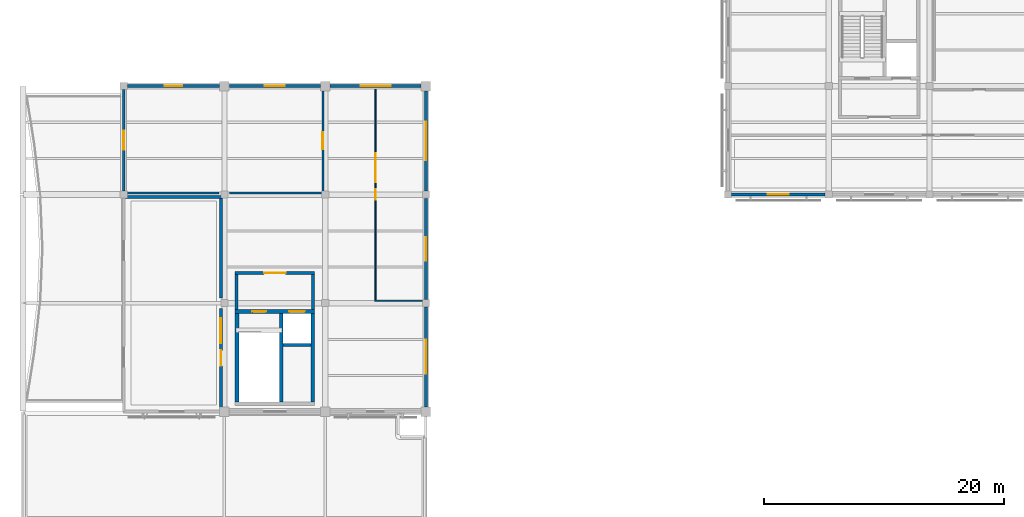
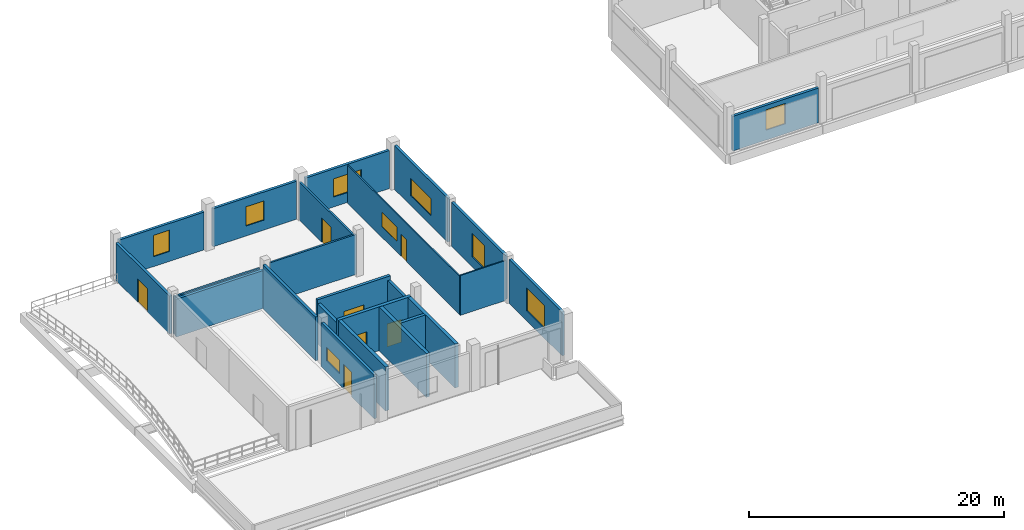
# One storey, part 17 of 34: 24 walls, 9 windows, 7 doors, 16 openings.
"""IFC4 building model written with IfcOpenShell, lengths in metres."""

from ifc_helpers import new_model, si_unit, direction, frame, frame_2d, origin, place, context, subcontext, project, spatial, rectangle, extrude, material, layer, layer_set, type_object, element, fill, save


model = new_model("IFC4")

# Units and contexts
model_context = context("Model", 3, precision=1e-05, world=origin(), true_north=direction((0.0, 1.0)))
body_context = subcontext(model_context, "Body", "Model", "MODEL_VIEW")
ifc_project = project(units=[si_unit("LENGTHUNIT", "METRE"), si_unit("AREAUNIT", "SQUARE_METRE"), si_unit("VOLUMEUNIT", "CUBIC_METRE"), si_unit("PLANEANGLEUNIT", "RADIAN"), si_unit("MASSUNIT", "GRAM", prefix="KILO")], contexts=[model_context])

# Site, building, storey
site_placement = place(None, origin())
site = spatial("IfcSite", under=ifc_project, at=site_placement, CompositionType="ELEMENT")
building_placement = place(site_placement, origin())
building = spatial("IfcBuilding", under=site, at=building_placement, Name="Khurvash Pelagic Aquarium", CompositionType="ELEMENT")
storey_placement = place(building_placement, frame((0.0, 0.0, 15.60009765625)))
storey = spatial("IfcBuildingStorey", under=building, at=storey_placement, Name="L03", CompositionType="ELEMENT", Elevation=15.60009765625)

# Wall, opening, door
ifc_material_1 = material(Name="Glass-fibre reinforced concrete C40/50", Category="concrete")
ifc_layer_1 = layer(ifc_material_1, 0.239990234375)
ifc_layer_set_1 = layer_set([ifc_layer_1], Name="Glass-fibre reinforced concrete C40/50")
wall_type_1 = type_object("IfcWallType", Name="EW-240", PredefinedType="STANDARD", material=ifc_layer_set_1)
wall_1_placement = place(storey_placement, frame((8.39990234375, 92.794921875, 0.0), z_axis=(0.0, 0.0, 1.0), x_axis=(0.0, -1.0, 0.0)))
wall_1 = element("IfcWall", 1, at=wall_1_placement, inside=storey, type_object=wall_type_1, Name="L03 Exterior Architectural Facade Wall EW-240 0133", PredefinedType="STANDARD", context=body_context, shape_type="SweptSolid", body=[
    extrude(rectangle(XDim=8.43994140625, YDim=0.239990234375, at=frame_2d((4.219970703125, 0.0))), origin(), (0.0, 0.0, 1.0), 3.630859375),
])
opening_1_placement = place(wall_1_placement, frame((3.419921875, 0.0, 0.0)))
opening_1 = element("IfcOpeningElement", 2, at=opening_1_placement, cuts=wall_1, Name="Opening ED-03", PredefinedType="OPENING", context=body_context, shape_type="SweptSolid", body=[
    extrude(rectangle(XDim=1.60009765625, YDim=2.25, at=frame_2d((0.800048828125, 1.125))), frame((0.0, 0.1298828125, 0.0), z_axis=(0.0, -1.0, 0.0), x_axis=(1.0, 0.0, 0.0)), (0.0, 0.0, 1.0), 0.260009765625),
])
ifc_material_2 = material(Name="Thermally broken glazed aluminium", Category="aluminium")
door_type_1 = type_object("IfcDoorType", Name="ED-03", OperationType="DOUBLE_DOOR_SINGLE_SWING", PredefinedType="DOOR", material=ifc_material_2)
door_1_placement = place(opening_1_placement, frame((1.60009765625, 0.0, 0.0), z_axis=(0.0, 0.0, 1.0), x_axis=(-1.0, 0.0, 0.0)))
door_1 = element("IfcDoor", 3, at=door_1_placement, inside=storey, type_object=door_type_1, Name="DR-0192", OperationType="DOUBLE_DOOR_SINGLE_SWING", OverallHeight=2.25, OverallWidth=1.60009765625, PredefinedType="DOOR", context=body_context, shape_type="SweptSolid", body=[
    extrude(rectangle(XDim=1.60009765625, YDim=2.25, at=frame_2d((0.800048828125, 1.125))), frame((0.0, 0.02490234375, 0.0), z_axis=(0.0, -1.0, 0.0), x_axis=(1.0, 0.0, 0.0)), (0.0, 0.0, 1.0), 0.050048828125),
])
fill(opening_1, door_1)

# Wall, opening, window
wall_2_placement = place(storey_placement, frame((33.60009765625, 66.35498046875, 0.0), z_axis=(0.0, 0.0, 1.0), x_axis=(0.0, 1.0, 0.0)))
wall_2 = element("IfcWall", 4, at=wall_2_placement, inside=storey, type_object=wall_type_1, Name="L03 Exterior Architectural Facade Wall EW-240 0139", PredefinedType="STANDARD", context=body_context, shape_type="SweptSolid", body=[
    extrude(rectangle(XDim=8.340087890625, YDim=0.239990234375, at=frame_2d((4.169921875, 0.0))), origin(), (0.0, 0.0, 1.0), 4.199951171875),
])
opening_2_placement = place(wall_2_placement, frame((2.77001953125, 0.0, 0.949951171875)))
opening_2 = element("IfcOpeningElement", 5, at=opening_2_placement, cuts=wall_2, Name="Opening WN-14", PredefinedType="OPENING", context=body_context, shape_type="SweptSolid", body=[
    extrude(rectangle(XDim=2.800048828125, YDim=2.199951171875, at=frame_2d((1.39990234375, 1.10009765625))), frame((0.0, 0.1298828125, 0.0), z_axis=(0.0, -1.0, 0.0), x_axis=(1.0, 0.0, 0.0)), (0.0, 0.0, 1.0), 0.260009765625),
])
ifc_material_3 = material(Name="Thermally broken aluminium and low-E glass", Category="aluminium")
window_type_1 = type_object("IfcWindowType", Name="WN-14", PartitioningType="SINGLE_PANEL", PredefinedType="WINDOW", material=ifc_material_3)
window_1_placement = place(opening_2_placement, origin())
window_1 = element("IfcWindow", 6, at=window_1_placement, inside=storey, type_object=window_type_1, Name="L03 Facade Window WN-14 0087", OverallHeight=2.199951171875, OverallWidth=2.800048828125, PartitioningType="SINGLE_PANEL", PredefinedType="WINDOW", context=body_context, shape_type="SweptSolid", body=[
    extrude(rectangle(XDim=2.800048828125, YDim=2.199951171875, at=frame_2d((1.39990234375, 1.10009765625))), frame((0.0, 0.030029296875, 0.0), z_axis=(0.0, -1.0, 0.0), x_axis=(1.0, 0.0, 0.0)), (0.0, 0.0, 1.0), 0.06005859375),
])
fill(opening_2, window_1)

wall_3_placement = place(storey_placement, frame((33.60009765625, 75.304931640625, 0.0), z_axis=(0.0, 0.0, 1.0), x_axis=(0.0, 1.0, 0.0)))
wall_3 = element("IfcWall", 7, at=wall_3_placement, inside=storey, type_object=wall_type_1, Name="L03 Exterior Architectural Facade Wall EW-240 0140", PredefinedType="STANDARD", context=body_context, shape_type="SweptSolid", body=[
    extrude(rectangle(XDim=8.440185546875, YDim=0.239990234375, at=frame_2d((4.22021484375, 0.0))), origin(), (0.0, 0.0, 1.0), 4.199951171875),
])
opening_3_placement = place(wall_3_placement, frame((3.2451171875, 0.0, 0.949951171875)))
opening_3 = element("IfcOpeningElement", 8, at=opening_3_placement, cuts=wall_3, Name="Opening WN-16", PredefinedType="OPENING", context=body_context, shape_type="SweptSolid", body=[
    extrude(rectangle(XDim=1.949951171875, YDim=2.25, at=frame_2d((0.97509765625, 1.125))), frame((0.0, 0.1298828125, 0.0), z_axis=(0.0, -1.0, 0.0), x_axis=(1.0, 0.0, 0.0)), (0.0, 0.0, 1.0), 0.260009765625),
])
window_type_2 = type_object("IfcWindowType", Name="WN-16", PartitioningType="SINGLE_PANEL", PredefinedType="WINDOW", material=ifc_material_3)
window_2_placement = place(opening_3_placement, origin())
window_2 = element("IfcWindow", 9, at=window_2_placement, inside=storey, type_object=window_type_2, Name="L03 Facade Window WN-16 0088", OverallHeight=2.25, OverallWidth=1.949951171875, PartitioningType="SINGLE_PANEL", PredefinedType="WINDOW", context=body_context, shape_type="SweptSolid", body=[
    extrude(rectangle(XDim=1.949951171875, YDim=2.25, at=frame_2d((0.97509765625, 1.125))), frame((0.0, 0.030029296875, 0.0), z_axis=(0.0, -1.0, 0.0), x_axis=(1.0, 0.0, 0.0)), (0.0, 0.0, 1.0), 0.06005859375),
])
fill(opening_3, window_2)

wall_4_placement = place(storey_placement, frame((33.60009765625, 84.35498046875, 0.0), z_axis=(0.0, 0.0, 1.0), x_axis=(0.0, 1.0, 0.0)))
wall_4 = element("IfcWall", 10, at=wall_4_placement, inside=storey, type_object=wall_type_1, Name="L03 Exterior Architectural Facade Wall EW-240 0141", PredefinedType="STANDARD", context=body_context, shape_type="SweptSolid", body=[
    extrude(rectangle(XDim=8.340087890625, YDim=0.239990234375, at=frame_2d((4.169921875, 0.0))), origin(), (0.0, 0.0, 1.0), 4.199951171875),
])
opening_4_placement = place(wall_4_placement, frame((2.570068359375, 0.0, 0.949951171875)))
opening_4 = element("IfcOpeningElement", 11, at=opening_4_placement, cuts=wall_4, Name="Opening WN-18", PredefinedType="OPENING", context=body_context, shape_type="SweptSolid", body=[
    extrude(rectangle(XDim=3.199951171875, YDim=1.64990234375, at=frame_2d((1.60009765625, 0.824951171875))), frame((0.0, 0.1298828125, 0.0), z_axis=(0.0, -1.0, 0.0), x_axis=(1.0, 0.0, 0.0)), (0.0, 0.0, 1.0), 0.260009765625),
])
window_type_3 = type_object("IfcWindowType", Name="WN-18", PartitioningType="SINGLE_PANEL", PredefinedType="WINDOW", material=ifc_material_3)
window_3_placement = place(opening_4_placement, origin())
window_3 = element("IfcWindow", 12, at=window_3_placement, inside=storey, type_object=window_type_3, Name="L03 Facade Window WN-18 0089", OverallHeight=1.64990234375, OverallWidth=3.199951171875, PartitioningType="SINGLE_PANEL", PredefinedType="WINDOW", context=body_context, shape_type="SweptSolid", body=[
    extrude(rectangle(XDim=3.199951171875, YDim=1.64990234375, at=frame_2d((1.60009765625, 0.824951171875))), frame((0.0, 0.030029296875, 0.0), z_axis=(0.0, -1.0, 0.0), x_axis=(1.0, 0.0, 0.0)), (0.0, 0.0, 1.0), 0.06005859375),
])
fill(opening_4, window_3)

wall_5_placement = place(storey_placement, frame((33.195068359375, 93.10009765625, 0.0), z_axis=(0.0, 0.0, 1.0), x_axis=(-1.0, 0.0, 0.0)))
wall_5 = element("IfcWall", 13, at=wall_5_placement, inside=storey, type_object=wall_type_1, Name="L03 Exterior Architectural Facade Wall EW-240 0142", PredefinedType="STANDARD", context=body_context, shape_type="SweptSolid", body=[
    extrude(rectangle(XDim=7.590087890625, YDim=0.239990234375, at=frame_2d((3.794921875, 0.0))), origin(), (0.0, 0.0, 1.0), 3.64990234375),
])
opening_5_placement = place(wall_5_placement, frame((2.544921875, 0.0, 0.949951171875)))
opening_5 = element("IfcOpeningElement", 14, at=opening_5_placement, cuts=wall_5, Name="Opening WN-17", PredefinedType="OPENING", context=body_context, shape_type="SweptSolid", body=[
    extrude(rectangle(XDim=2.5, YDim=1.75, at=frame_2d((1.25, 0.875))), frame((0.0, 0.1298828125, 0.0), z_axis=(0.0, -1.0, 0.0), x_axis=(1.0, 0.0, 0.0)), (0.0, 0.0, 1.0), 0.260009765625),
])
window_type_4 = type_object("IfcWindowType", Name="WN-17", PartitioningType="SINGLE_PANEL", PredefinedType="WINDOW", material=ifc_material_3)
window_4_placement = place(opening_5_placement, origin())
window_4 = element("IfcWindow", 15, at=window_4_placement, inside=storey, type_object=window_type_4, Name="L03 Facade Window WN-17 0090", OverallHeight=1.75, OverallWidth=2.5, PartitioningType="SINGLE_PANEL", PredefinedType="WINDOW", context=body_context, shape_type="SweptSolid", body=[
    extrude(rectangle(XDim=2.5, YDim=1.75, at=frame_2d((1.25, 0.875))), frame((0.0, 0.030029296875, 0.0), z_axis=(0.0, -1.0, 0.0), x_axis=(1.0, 0.0, 0.0)), (0.0, 0.0, 1.0), 0.06005859375),
])
fill(opening_5, window_4)

wall_6_placement = place(storey_placement, frame((24.794921875, 93.10009765625, 0.0), z_axis=(0.0, 0.0, 1.0), x_axis=(-1.0, 0.0, 0.0)))
wall_6 = element("IfcWall", 16, at=wall_6_placement, inside=storey, type_object=wall_type_1, Name="L03 Exterior Architectural Facade Wall EW-240 0143", PredefinedType="STANDARD", context=body_context, shape_type="SweptSolid", body=[
    extrude(rectangle(XDim=7.58984375, YDim=0.239990234375, at=frame_2d((3.794921875, 0.0))), origin(), (0.0, 0.0, 1.0), 3.64990234375),
])
opening_6_placement = place(wall_6_placement, frame((2.969970703125, 0.0, 0.949951171875)))
opening_6 = element("IfcOpeningElement", 17, at=opening_6_placement, cuts=wall_6, Name="Opening WN-19", PredefinedType="OPENING", context=body_context, shape_type="SweptSolid", body=[
    extrude(rectangle(XDim=1.64990234375, YDim=1.85009765625, at=frame_2d((0.824951171875, 0.925048828125))), frame((0.0, 0.1298828125, 0.0), z_axis=(0.0, -1.0, 0.0), x_axis=(1.0, 0.0, 0.0)), (0.0, 0.0, 1.0), 0.260009765625),
])
window_type_5 = type_object("IfcWindowType", Name="WN-19", PartitioningType="SINGLE_PANEL", PredefinedType="WINDOW", material=ifc_material_3)
window_5_placement = place(opening_6_placement, origin())
window_5 = element("IfcWindow", 18, at=window_5_placement, inside=storey, type_object=window_type_5, Name="L03 Facade Window WN-19 0091", OverallHeight=1.85009765625, OverallWidth=1.64990234375, PartitioningType="SINGLE_PANEL", PredefinedType="WINDOW", context=body_context, shape_type="SweptSolid", body=[
    extrude(rectangle(XDim=1.64990234375, YDim=1.85009765625, at=frame_2d((0.824951171875, 0.925048828125))), frame((0.0, 0.030029296875, 0.0), z_axis=(0.0, -1.0, 0.0), x_axis=(1.0, 0.0, 0.0)), (0.0, 0.0, 1.0), 0.06005859375),
])
fill(opening_6, window_5)

wall_7_placement = place(storey_placement, frame((16.39501953125, 93.10009765625, 0.0), z_axis=(0.0, 0.0, 1.0), x_axis=(-1.0, 0.0, 0.0)))
wall_7 = element("IfcWall", 19, at=wall_7_placement, inside=storey, type_object=wall_type_1, Name="L03 Exterior Architectural Facade Wall EW-240 0144", PredefinedType="STANDARD", context=body_context, shape_type="SweptSolid", body=[
    extrude(rectangle(XDim=7.68994140625, YDim=0.239990234375, at=frame_2d((3.844970703125, 0.0))), origin(), (0.0, 0.0, 1.0), 3.630859375),
])
opening_7_placement = place(wall_7_placement, frame((3.1201171875, 0.0, 0.949951171875)))
opening_7 = element("IfcOpeningElement", 20, at=opening_7_placement, cuts=wall_7, Name="Opening WN-21", PredefinedType="OPENING", context=body_context, shape_type="SweptSolid", body=[
    extrude(rectangle(XDim=1.449951171875, YDim=2.050048828125, at=frame_2d((0.72509765625, 1.02490234375))), frame((0.0, 0.1298828125, 0.0), z_axis=(0.0, -1.0, 0.0), x_axis=(1.0, 0.0, 0.0)), (0.0, 0.0, 1.0), 0.260009765625),
])
window_type_6 = type_object("IfcWindowType", Name="WN-21", PartitioningType="SINGLE_PANEL", PredefinedType="WINDOW", material=ifc_material_3)
window_6_placement = place(opening_7_placement, origin())
window_6 = element("IfcWindow", 21, at=window_6_placement, inside=storey, type_object=window_type_6, Name="L03 Facade Window WN-21 0092", OverallHeight=2.050048828125, OverallWidth=1.449951171875, PartitioningType="SINGLE_PANEL", PredefinedType="WINDOW", context=body_context, shape_type="SweptSolid", body=[
    extrude(rectangle(XDim=1.449951171875, YDim=2.050048828125, at=frame_2d((0.72509765625, 1.02490234375))), frame((0.0, 0.030029296875, 0.0), z_axis=(0.0, -1.0, 0.0), x_axis=(1.0, 0.0, 0.0)), (0.0, 0.0, 1.0), 0.06005859375),
])
fill(opening_7, window_6)

wall_8_placement = place(storey_placement, frame((59.10498046875, 84.050048828125, 0.0), z_axis=(0.0, 0.0, 1.0), x_axis=(1.0, 0.0, 0.0)))
wall_8 = element("IfcWall", 22, at=wall_8_placement, inside=storey, type_object=wall_type_1, Name="L03 Exterior Architectural Facade Wall EW-240 0147", PredefinedType="STANDARD", context=body_context, shape_type="SweptSolid", body=[
    extrude(rectangle(XDim=7.7900390625, YDim=0.239990234375, at=frame_2d((3.89501953125, 0.0))), origin(), (0.0, 0.0, 1.0), 3.329833984375),
])
opening_8_placement = place(wall_8_placement, frame((3.02001953125, 0.0, 0.949951171875)))
opening_8 = element("IfcOpeningElement", 23, at=opening_8_placement, cuts=wall_8, Name="Opening WN-22", PredefinedType="OPENING", context=body_context, shape_type="SweptSolid", body=[
    extrude(rectangle(XDim=1.75, YDim=1.949951171875, at=frame_2d((0.875, 0.97509765625))), frame((0.0, 0.1298828125, 0.0), z_axis=(0.0, -1.0, 0.0), x_axis=(1.0, 0.0, 0.0)), (0.0, 0.0, 1.0), 0.260009765625),
])
window_type_7 = type_object("IfcWindowType", Name="WN-22", PartitioningType="SINGLE_PANEL", PredefinedType="WINDOW", material=ifc_material_3)
window_7_placement = place(opening_8_placement, origin())
window_7 = element("IfcWindow", 24, at=window_7_placement, inside=storey, type_object=window_type_7, Name="L03 Facade Window WN-22 0095", OverallHeight=1.949951171875, OverallWidth=1.75, PartitioningType="SINGLE_PANEL", PredefinedType="WINDOW", context=body_context, shape_type="SweptSolid", body=[
    extrude(rectangle(XDim=1.75, YDim=1.949951171875, at=frame_2d((0.875, 0.97509765625))), frame((0.0, 0.030029296875, 0.0), z_axis=(0.0, -1.0, 0.0), x_axis=(1.0, 0.0, 0.0)), (0.0, 0.0, 1.0), 0.06005859375),
])
fill(opening_8, window_7)

# Wall, openings, door, window
ifc_material_4 = material(Name="Ceramic-tiled wet-room partition", Category="masonry")
ifc_layer_2 = layer(ifc_material_4, 0.110107421875)
ifc_layer_set_2 = layer_set([ifc_layer_2], Name="Ceramic-tiled wet-room partition")
wall_type_2 = type_object("IfcWallType", Name="PW-110", PredefinedType="PARTITIONING", material=ifc_layer_set_2)
wall_9_placement = place(storey_placement, frame((29.39990234375, 75.2548828125, 0.0), z_axis=(0.0, 0.0, 1.0), x_axis=(0.0, 1.0, 0.0)))
wall_9 = element("IfcWall", 25, at=wall_9_placement, inside=storey, type_object=wall_type_2, Name="L03 Faculty Research Office Partition Wall PW-110", PredefinedType="PARTITIONING", context=body_context, shape_type="SweptSolid", body=[
    extrude(rectangle(XDim=17.590087890625, YDim=0.110107421875, at=frame_2d((8.794921875, 0.0))), origin(), (0.0, 0.0, 1.0), 3.64990234375),
])
opening_9_placement = place(wall_9_placement, frame((8.35498046875, 0.0, 0.0)))
opening_9 = element("IfcOpeningElement", 26, at=opening_9_placement, cuts=wall_9, Name="Opening ID-25", PredefinedType="OPENING", context=body_context, shape_type="SweptSolid", body=[
    extrude(rectangle(XDim=0.8798828125, YDim=2.1201171875, at=frame_2d((0.43994140625, 1.06005859375))), frame((0.0, 0.06494140625, 0.0), z_axis=(0.0, -1.0, 0.0), x_axis=(1.0, 0.0, 0.0)), (0.0, 0.0, 1.0), 0.130126953125),
])
opening_10_placement = place(wall_9_placement, frame((9.8349609375, 0.0, 1.0498046875)))
opening_10 = element("IfcOpeningElement", 27, at=opening_10_placement, cuts=wall_9, Name="Opening IW-04", PredefinedType="OPENING", context=body_context, shape_type="SweptSolid", body=[
    extrude(rectangle(XDim=2.39990234375, YDim=1.35009765625, at=frame_2d((1.199951171875, 0.675048828125))), frame((0.0, 0.06494140625, 0.0), z_axis=(0.0, -1.0, 0.0), x_axis=(1.0, 0.0, 0.0)), (0.0, 0.0, 1.0), 0.130126953125),
])
ifc_material_5 = material(Name="High-pressure laminate utility door", Category="wood")
door_type_2 = type_object("IfcDoorType", Name="ID-25", OperationType="NOTDEFINED", PredefinedType="DOOR", material=ifc_material_5)
door_2_placement = place(opening_9_placement, frame((0.8798828125, 0.0, 0.0), z_axis=(0.0, 0.0, 1.0), x_axis=(-1.0, 0.0, 0.0)))
door_2 = element("IfcDoor", 28, at=door_2_placement, inside=storey, type_object=door_type_2, Name="DR-0203", OperationType="SINGLE_SWING_LEFT", OverallHeight=2.1201171875, OverallWidth=0.8798828125, PredefinedType="DOOR", context=body_context, shape_type="SweptSolid", body=[
    extrude(rectangle(XDim=0.8798828125, YDim=2.1201171875, at=frame_2d((0.43994140625, 1.06005859375))), frame((0.0, 0.02490234375, 0.0), z_axis=(0.0, -1.0, 0.0), x_axis=(1.0, 0.0, 0.0)), (0.0, 0.0, 1.0), 0.050048828125),
])
fill(opening_9, door_2)
ifc_material_6 = material(Name="Acoustic laminated interior observation glazing", Category="glass")
window_type_8 = type_object("IfcWindowType", Name="IW-04", PartitioningType="SINGLE_PANEL", PredefinedType="WINDOW", material=ifc_material_6)
window_8_placement = place(opening_10_placement, origin())
window_8 = element("IfcWindow", 29, at=window_8_placement, inside=storey, type_object=window_type_8, Name="L03 Faculty Research Office Observation Window IW-04", OverallHeight=1.35009765625, OverallWidth=2.39990234375, PartitioningType="SINGLE_PANEL", PredefinedType="WINDOW", context=body_context, shape_type="SweptSolid", body=[
    extrude(rectangle(XDim=2.39990234375, YDim=1.35009765625, at=frame_2d((1.199951171875, 0.675048828125))), frame((0.0, 0.030029296875, 0.0), z_axis=(0.0, -1.0, 0.0), x_axis=(1.0, 0.0, 0.0)), (0.0, 0.0, 1.0), 0.06005859375),
])
fill(opening_10, window_8)

# Wall
wall_10_placement = place(storey_placement, frame((29.344970703125, 75.199951171875, 0.0), z_axis=(0.0, 0.0, 1.0), x_axis=(1.0, 0.0, 0.0)))
element("IfcWall", 30, at=wall_10_placement, inside=storey, type_object=wall_type_2, Name="L03 Faculty Research Office Partition Wall PW-110", PredefinedType="PARTITIONING", context=body_context, shape_type="SweptSolid", body=[
    extrude(rectangle(XDim=4.110107421875, YDim=0.110107421875, at=frame_2d((2.05517578125, 0.0))), origin(), (0.0, 0.0, 1.0), 3.824951171875),
])

# Wall, opening, door
ifc_material_7 = material(Name="AAC blockwork", Category="masonry")
ifc_layer_3 = layer(ifc_material_7, 0.169921875)
ifc_layer_set_3 = layer_set([ifc_layer_3], Name="AAC blockwork")
wall_type_3 = type_object("IfcWallType", Name="PW-170", PredefinedType="PARTITIONING", material=ifc_layer_set_3)
wall_11_placement = place(storey_placement, frame((25.0, 84.284912109375, 0.0), z_axis=(0.0, 0.0, 1.0), x_axis=(0.0, 1.0, 0.0)))
wall_11 = element("IfcWall", 31, at=wall_11_placement, inside=storey, type_object=wall_type_3, Name="L03 Conservation Policy Seminar Room Partition Wall PW-170", PredefinedType="PARTITIONING", context=body_context, shape_type="SweptSolid", body=[
    extrude(rectangle(XDim=8.530029296875, YDim=0.169921875, at=frame_2d((4.26513671875, 0.0))), origin(), (0.0, 0.0, 1.0), 3.64990234375),
])
opening_11_placement = place(wall_11_placement, frame((3.544921875, 0.0, 0.0)))
opening_11 = element("IfcOpeningElement", 32, at=opening_11_placement, cuts=wall_11, Name="Opening ID-14", PredefinedType="OPENING", context=body_context, shape_type="SweptSolid", body=[
    extrude(rectangle(XDim=1.43994140625, YDim=2.35009765625, at=frame_2d((0.719970703125, 1.175048828125))), frame((0.0, 0.094970703125, 0.0), z_axis=(0.0, -1.0, 0.0), x_axis=(1.0, 0.0, 0.0)), (0.0, 0.0, 1.0), 0.18994140625),
])
ifc_material_8 = material(Name="Mechanical plant access door", Category="wood")
door_type_3 = type_object("IfcDoorType", Name="ID-14", OperationType="NOTDEFINED", PredefinedType="DOOR", material=ifc_material_8)
door_3_placement = place(opening_11_placement, origin())
door_3 = element("IfcDoor", 33, at=door_3_placement, inside=storey, type_object=door_type_3, Name="DR-0202", OperationType="SINGLE_SWING_RIGHT", OverallHeight=2.35009765625, OverallWidth=1.43994140625, PredefinedType="DOOR", context=body_context, shape_type="SweptSolid", body=[
    extrude(rectangle(XDim=1.43994140625, YDim=2.35009765625, at=frame_2d((0.719970703125, 1.175048828125))), frame((0.0, 0.02490234375, 0.0), z_axis=(0.0, -1.0, 0.0), x_axis=(1.0, 0.0, 0.0)), (0.0, 0.0, 1.0), 0.050048828125),
])
fill(opening_11, door_3)

# Walls
wall_12_placement = place(storey_placement, frame((8.56494140625, 84.199951171875, 0.0), z_axis=(0.0, 0.0, 1.0), x_axis=(1.0, 0.0, 0.0)))
element("IfcWall", 34, at=wall_12_placement, inside=storey, type_object=wall_type_3, Name="L03 Conservation Policy Seminar Room Partition Wall PW-170", PredefinedType="PARTITIONING", context=body_context, shape_type="SweptSolid", body=[
    extrude(rectangle(XDim=7.795166015625, YDim=0.169921875, at=frame_2d((3.8974609375, 0.0))), origin(), (0.0, 0.0, 1.0), 3.630859375),
])
wall_13_placement = place(storey_placement, frame((17.239990234375, 84.199951171875, 0.0), z_axis=(0.0, 0.0, 1.0), x_axis=(1.0, 0.0, 0.0)))
element("IfcWall", 35, at=wall_13_placement, inside=storey, type_object=wall_type_3, Name="L03 Conservation Policy Seminar Room Partition Wall PW-170", PredefinedType="PARTITIONING", context=body_context, shape_type="SweptSolid", body=[
    extrude(rectangle(XDim=7.844970703125, YDim=0.169921875, at=frame_2d((3.92236328125, 0.0))), origin(), (0.0, 0.0, 1.0), 3.824951171875),
])

# Wall, openings, door, window
ifc_layer_4 = layer(ifc_material_7, 0.235107421875)
ifc_layer_set_4 = layer_set([ifc_layer_4], Name="AAC blockwork")
wall_type_4 = type_object("IfcWallType", Name="PW-235", PredefinedType="PARTITIONING", material=ifc_layer_set_4)
wall_14_placement = place(storey_placement, frame((16.5, 66.26806640625, 0.0), z_axis=(0.0, 0.0, 1.0), x_axis=(0.0, 1.0, 0.0)))
wall_14 = element("IfcWall", 36, at=wall_14_placement, inside=storey, type_object=wall_type_4, Name="L03 Marine Science Reference Library Partition Wall PW-235", PredefinedType="PARTITIONING", context=body_context, shape_type="SweptSolid", body=[
    extrude(rectangle(XDim=8.2919921875, YDim=0.235107421875, at=frame_2d((4.14599609375, 0.0))), origin(), (0.0, 0.0, 1.0), 4.199951171875),
])
opening_12_placement = place(wall_14_placement, frame((3.506103515625, 0.0, 0.0)))
opening_12 = element("IfcOpeningElement", 37, at=opening_12_placement, cuts=wall_14, Name="Opening ID-13", PredefinedType="OPENING", context=body_context, shape_type="SweptSolid", body=[
    extrude(rectangle(XDim=1.280029296875, YDim=2.35009765625, at=frame_2d((0.64013671875, 1.175048828125))), frame((0.0, 0.12744140625, 0.0), z_axis=(0.0, -1.0, 0.0), x_axis=(1.0, 0.0, 0.0)), (0.0, 0.0, 1.0), 0.255126953125),
])
opening_13_placement = place(wall_14_placement, frame((5.385986328125, 0.0, 1.0498046875)))
opening_13 = element("IfcOpeningElement", 38, at=opening_13_placement, cuts=wall_14, Name="Opening IW-03", PredefinedType="OPENING", context=body_context, shape_type="SweptSolid", body=[
    extrude(rectangle(XDim=2.10009765625, YDim=1.300048828125, at=frame_2d((1.050048828125, 0.64990234375))), frame((0.0, 0.12744140625, 0.0), z_axis=(0.0, -1.0, 0.0), x_axis=(1.0, 0.0, 0.0)), (0.0, 0.0, 1.0), 0.255126953125),
])
ifc_material_9 = material(Name="Veterinary surgical suite door", Category="wood")
door_type_4 = type_object("IfcDoorType", Name="ID-13", OperationType="NOTDEFINED", PredefinedType="DOOR", material=ifc_material_9)
door_4_placement = place(opening_12_placement, origin())
door_4 = element("IfcDoor", 39, at=door_4_placement, inside=storey, type_object=door_type_4, Name="DR-0201", OperationType="SINGLE_SWING_LEFT", OverallHeight=2.35009765625, OverallWidth=1.280029296875, PredefinedType="DOOR", context=body_context, shape_type="SweptSolid", body=[
    extrude(rectangle(XDim=1.280029296875, YDim=2.35009765625, at=frame_2d((0.64013671875, 1.175048828125))), frame((0.0, 0.02490234375, 0.0), z_axis=(0.0, -1.0, 0.0), x_axis=(1.0, 0.0, 0.0)), (0.0, 0.0, 1.0), 0.050048828125),
])
fill(opening_12, door_4)
window_type_9 = type_object("IfcWindowType", Name="IW-03", PartitioningType="SINGLE_PANEL", PredefinedType="WINDOW", material=ifc_material_6)
window_9_placement = place(opening_13_placement, origin())
window_9 = element("IfcWindow", 40, at=window_9_placement, inside=storey, type_object=window_type_9, Name="L03 Marine Science Reference Library Observation Window IW-03", OverallHeight=1.300048828125, OverallWidth=2.10009765625, PartitioningType="SINGLE_PANEL", PredefinedType="WINDOW", context=body_context, shape_type="SweptSolid", body=[
    extrude(rectangle(XDim=2.10009765625, YDim=1.300048828125, at=frame_2d((1.050048828125, 0.64990234375))), frame((0.0, 0.030029296875, 0.0), z_axis=(0.0, -1.0, 0.0), x_axis=(1.0, 0.0, 0.0)), (0.0, 0.0, 1.0), 0.06005859375),
])
fill(opening_13, window_9)

# Walls
wall_15_placement = place(storey_placement, frame((16.5, 75.43994140625, 0.0), z_axis=(0.0, 0.0, 1.0), x_axis=(0.0, 1.0, 0.0)))
element("IfcWall", 41, at=wall_15_placement, inside=storey, type_object=wall_type_4, Name="L03 Marine Science Reference Library Partition Wall PW-235", PredefinedType="PARTITIONING", context=body_context, shape_type="SweptSolid", body=[
    extrude(rectangle(XDim=8.2919921875, YDim=0.235107421875, at=frame_2d((4.14599609375, 0.0))), origin(), (0.0, 0.0, 1.0), 4.199951171875),
])
wall_16_placement = place(storey_placement, frame((8.532958984375, 83.85009765625, 0.0), z_axis=(0.0, 0.0, 1.0), x_axis=(1.0, 0.0, 0.0)))
element("IfcWall", 42, at=wall_16_placement, inside=storey, type_object=wall_type_4, Name="L03 Marine Science Reference Library Partition Wall PW-235", PredefinedType="PARTITIONING", context=body_context, shape_type="SweptSolid", body=[
    extrude(rectangle(XDim=8.083984375, YDim=0.235107421875, at=frame_2d((4.0419921875, 0.0))), origin(), (0.0, 0.0, 1.0), 3.630859375),
])

# Wall, opening, door
ifc_layer_5 = layer(ifc_material_7, 0.25)
ifc_layer_set_5 = layer_set([ifc_layer_5], Name="AAC blockwork")
wall_type_5 = type_object("IfcWallType", Name="PW-250", PredefinedType="PARTITIONING", material=ifc_layer_set_5)
wall_17_placement = place(storey_placement, frame((17.699951171875, 77.52490234375, 0.0), z_axis=(0.0, 0.0, 1.0), x_axis=(1.0, 0.0, 0.0)))
wall_17 = element("IfcWall", 43, at=wall_17_placement, inside=storey, type_object=wall_type_5, Name="L03 Core C5 Lobby Front Fire Wall PW-250", PredefinedType="PARTITIONING", context=body_context, shape_type="SweptSolid", body=[
    extrude(rectangle(XDim=6.60009765625, YDim=0.25, at=frame_2d((3.300048828125, 0.0))), origin(), (0.0, 0.0, 1.0), 4.199951171875),
])
opening_14_placement = place(wall_17_placement, frame((2.39990234375, 0.0, 0.0)))
opening_14 = element("IfcOpeningElement", 44, at=opening_14_placement, cuts=wall_17, Name="Opening FD-02", PredefinedType="OPENING", context=body_context, shape_type="SweptSolid", body=[
    extrude(rectangle(XDim=1.800048828125, YDim=2.25, at=frame_2d((0.89990234375, 1.125))), frame((0.0, 0.135009765625, 0.0), z_axis=(0.0, -1.0, 0.0), x_axis=(1.0, 0.0, 0.0)), (0.0, 0.0, 1.0), 0.27001953125),
])
ifc_material_10 = material(Name="Galvanised steel double fire door", Category="steel")
door_type_5 = type_object("IfcDoorType", Name="FD-02", OperationType="DOUBLE_DOOR_SINGLE_SWING", PredefinedType="DOOR", material=ifc_material_10)
door_5_placement = place(opening_14_placement, origin())
door_5 = element("IfcDoor", 45, at=door_5_placement, inside=storey, type_object=door_type_5, Name="DR-0211", OperationType="DOUBLE_DOOR_SINGLE_SWING", OverallHeight=2.25, OverallWidth=1.800048828125, PredefinedType="DOOR", context=body_context, shape_type="SweptSolid", body=[
    extrude(rectangle(XDim=1.800048828125, YDim=2.25, at=frame_2d((0.89990234375, 1.125))), frame((0.0, 0.02490234375, 0.0), z_axis=(0.0, -1.0, 0.0), x_axis=(1.0, 0.0, 0.0)), (0.0, 0.0, 1.0), 0.050048828125),
])
fill(opening_14, door_5)

# Walls
for number, where, z_axis, x_axis, name in (
    (46, (17.824951171875, 74.449951171875, 0.0), (0.0, 0.0, 1.0), (0.0, 1.0, 0.0), "L03 Core C5 Lobby West Fire Wall PW-250"),
    (47, (24.175048828125, 74.449951171875, 0.0), (0.0, 0.0, 1.0), (0.0, 1.0, 0.0), "L03 Core C5 Lobby East Fire Wall PW-250"),
):
    element("IfcWall", number, at=place(storey_placement, frame(where, z_axis=z_axis, x_axis=x_axis)), inside=storey, type_object=wall_type_5, Name=name, PredefinedType="PARTITIONING", context=body_context, shape_type="SweptSolid", body=[
        extrude(rectangle(XDim=2.949951171875, YDim=0.25, at=frame_2d((1.47509765625, 0.0))), origin(), (0.0, 0.0, 1.0), 3.824951171875),
    ])
ifc_material_11 = material(Name="Concrete C40/50", Category="concrete")
ifc_layer_6 = layer(ifc_material_11, 0.27490234375)
ifc_layer_set_6 = layer_set([ifc_layer_6], Name="Concrete C40/50")
wall_type_6 = type_object("IfcWallType", Name="SW-275", PredefinedType="SHEAR", material=ifc_layer_set_6)
wall_18_placement = place(storey_placement, frame((21.699951171875, 71.512939453125, 0.0), z_axis=(0.0, 0.0, 1.0), x_axis=(1.0, 0.0, 0.0)))
element("IfcWall", 48, at=wall_18_placement, inside=storey, type_object=wall_type_6, Name="L03 Lift PL-02 Shaft Rear Shear Wall SW-275", PredefinedType="SHEAR", context=body_context, shape_type="SweptSolid", body=[
    extrude(rectangle(XDim=2.300048828125, YDim=0.27490234375, at=frame_2d((1.14990234375, 0.0))), origin(), (0.0, 0.0, 1.0), 4.199951171875),
])

# Wall, openings, doors
ifc_layer_7 = layer(ifc_material_11, 0.300048828125)
ifc_layer_set_7 = layer_set([ifc_layer_7], Name="Concrete C40/50")
wall_type_7 = type_object("IfcWallType", Name="SW-300", PredefinedType="SHEAR", material=ifc_layer_set_7)
wall_19_placement = place(storey_placement, frame((17.699951171875, 74.300048828125, 0.0), z_axis=(0.0, 0.0, 1.0), x_axis=(1.0, 0.0, 0.0)))
wall_19 = element("IfcWall", 49, at=wall_19_placement, inside=storey, type_object=wall_type_7, Name="L03 Core C5 North Shear Wall SW-300", PredefinedType="SHEAR", context=body_context, shape_type="SweptSolid", body=[
    extrude(rectangle(XDim=6.60009765625, YDim=0.300048828125, at=frame_2d((3.300048828125, 0.0))), origin(), (0.0, 0.0, 1.0), 4.199951171875),
])
opening_15_placement = place(wall_19_placement, frame((1.425048828125, 0.0, 0.0)))
opening_15 = element("IfcOpeningElement", 50, at=opening_15_placement, cuts=wall_19, Name="Opening FD-01", PredefinedType="OPENING", context=body_context, shape_type="SweptSolid", body=[
    extrude(rectangle(XDim=1.14990234375, YDim=2.199951171875, at=frame_2d((0.574951171875, 1.10009765625))), frame((0.0, 0.16015625, 0.0), z_axis=(0.0, -1.0, 0.0), x_axis=(1.0, 0.0, 0.0)), (0.0, 0.0, 1.0), 0.320068359375),
])
opening_16_placement = place(wall_19_placement, frame((4.5, 0.0, 0.0)))
opening_16 = element("IfcOpeningElement", 51, at=opening_16_placement, cuts=wall_19, Name="Opening LD-02", PredefinedType="OPENING", context=body_context, shape_type="SweptSolid", body=[
    extrude(rectangle(XDim=1.300048828125, YDim=2.199951171875, at=frame_2d((0.64990234375, 1.10009765625))), frame((0.0, 0.16015625, 0.0), z_axis=(0.0, -1.0, 0.0), x_axis=(1.0, 0.0, 0.0)), (0.0, 0.0, 1.0), 0.320068359375),
])
ifc_material_12 = material(Name="Galvanised steel fire door", Category="steel")
door_type_6 = type_object("IfcDoorType", Name="FD-01", OperationType="NOTDEFINED", PredefinedType="DOOR", material=ifc_material_12)
door_6_placement = place(opening_15_placement, frame((1.14990234375, 0.0, 0.0), z_axis=(0.0, 0.0, 1.0), x_axis=(-1.0, 0.0, 0.0)))
door_6 = element("IfcDoor", 52, at=door_6_placement, inside=storey, type_object=door_type_6, Name="DR-0176", OperationType="SINGLE_SWING_LEFT", OverallHeight=2.199951171875, OverallWidth=1.14990234375, PredefinedType="DOOR", context=body_context, shape_type="SweptSolid", body=[
    extrude(rectangle(XDim=1.14990234375, YDim=2.199951171875, at=frame_2d((0.574951171875, 1.10009765625))), frame((0.0, 0.02490234375, 0.0), z_axis=(0.0, -1.0, 0.0), x_axis=(1.0, 0.0, 0.0)), (0.0, 0.0, 1.0), 0.050048828125),
])
fill(opening_15, door_6)
ifc_material_13 = material(Name="Brushed stainless steel 316 lift landing door", Category="steel")
door_type_7 = type_object("IfcDoorType", Name="LD-02", OperationType="DOUBLE_DOOR_SLIDING", PredefinedType="DOOR", material=ifc_material_13)
door_7_placement = place(opening_16_placement, origin())
door_7 = element("IfcDoor", 53, at=door_7_placement, inside=storey, type_object=door_type_7, Name="DR-0182", OperationType="DOUBLE_DOOR_SLIDING", OverallHeight=2.199951171875, OverallWidth=1.300048828125, PredefinedType="DOOR", context=body_context, shape_type="SweptSolid", body=[
    extrude(rectangle(XDim=1.300048828125, YDim=2.199951171875, at=frame_2d((0.64990234375, 1.10009765625))), frame((0.0, 0.02490234375, 0.0), z_axis=(0.0, -1.0, 0.0), x_axis=(1.0, 0.0, 0.0)), (0.0, 0.0, 1.0), 0.050048828125),
])
fill(opening_16, door_7)

# Walls
for number, where, z_axis, x_axis, name in (
    (54, (17.85009765625, 66.75, 0.0), (0.0, 0.0, 1.0), (0.0, 1.0, 0.0), "L03 Core C5 West Shear Wall SW-300"),
    (55, (24.14990234375, 66.75, 0.0), (0.0, 0.0, 1.0), (0.0, 1.0, 0.0), "L03 Core C5 East Shear Wall SW-300"),
    (56, (21.550048828125, 66.75, 0.0), (0.0, 0.0, 1.0), (0.0, 1.0, 0.0), "L03 Core C5 Divider Shear Wall SW-300"),
):
    element("IfcWall", number, at=place(storey_placement, frame(where, z_axis=z_axis, x_axis=x_axis)), inside=storey, type_object=wall_type_7, Name=name, PredefinedType="SHEAR", context=body_context, shape_type="SweptSolid", body=[
        extrude(rectangle(XDim=7.39990234375, YDim=0.300048828125, at=frame_2d((3.699951171875, 0.0))), origin(), (0.0, 0.0, 1.0), 4.199951171875),
    ])

save(model, "model.ifc")
